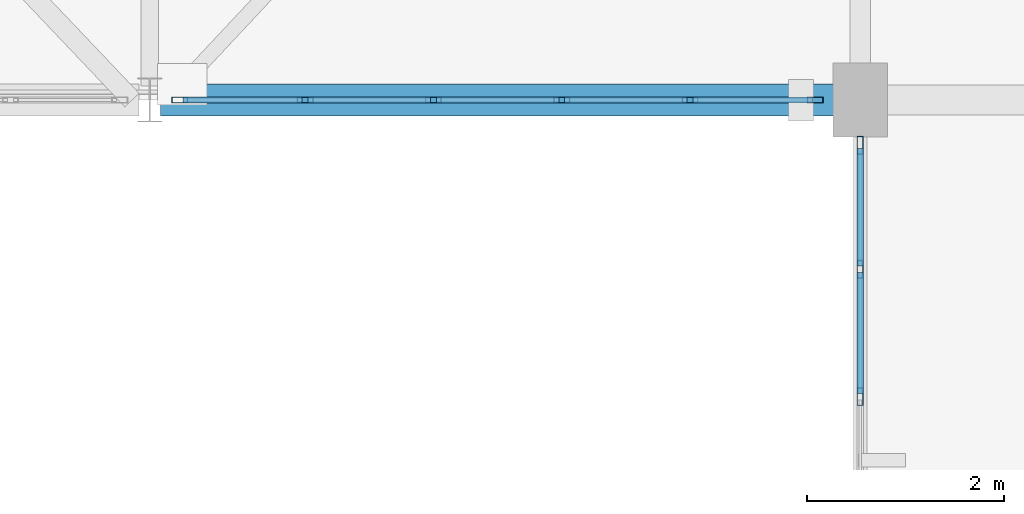
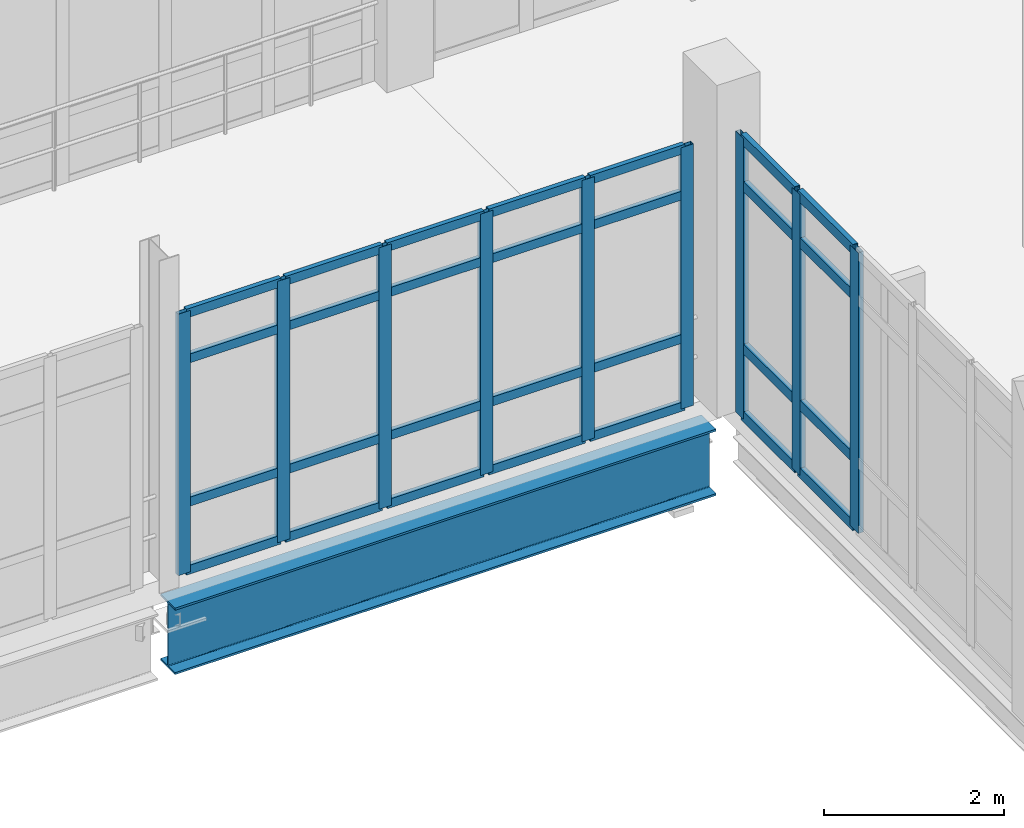
# One storey, part 44 of 124: 37 members, 1 beam, 2 elements without a shape of their own.
"""IFC4 building model written with IfcOpenShell, lengths in metres."""

from ifc_helpers import new_model, si_unit, direction, frame, origin, origin_2d, place, context, subcontext, project, spatial, hollow_rectangle, i_section, extrude, material, material_profile, profile_set, type_object, element, aggregate, save


model = new_model("IFC4")

# Units and contexts
model_context = context("Model", 3, precision=1e-05, world=origin(), true_north=direction((0.0, 1.0)))
body_context = subcontext(model_context, "Body", "Model", "MODEL_VIEW")
ifc_project = project(units=[si_unit("LENGTHUNIT", "METRE"), si_unit("AREAUNIT", "SQUARE_METRE"), si_unit("VOLUMEUNIT", "CUBIC_METRE"), si_unit("PLANEANGLEUNIT", "RADIAN"), si_unit("MASSUNIT", "GRAM", prefix="KILO")], contexts=[model_context])

# Site, building, storey
site_placement = place(None, origin())
site = spatial("IfcSite", under=ifc_project, at=site_placement, CompositionType="ELEMENT")
building_placement = place(site_placement, origin())
building = spatial("IfcBuilding", under=site, at=building_placement, Name="Kalluvel Institute of Natural Sciences", CompositionType="ELEMENT")
storey_placement = place(building_placement, frame((0.0, 0.0, 9.89990234375)))
storey = spatial("IfcBuildingStorey", under=building, at=storey_placement, Name="L02", CompositionType="ELEMENT", Elevation=9.89990234375)

# Beam
ifc_material_1 = material(Name="Steel E350 Grade 350", Category="steel")
ifc_material_profile_1 = material_profile(ifc_material_1, i_section(OverallWidth=0.320068359375, OverallDepth=0.89990234375, WebThickness=0.01611328125, FlangeThickness=0.028076171875, FilletRadius=0.01806640625, at=origin_2d()), Name="WPG 900x320")
ifc_profile_set_1 = profile_set([ifc_material_profile_1], Name="Steel E350 Grade 350")
beam_type = type_object("IfcBeamType", Name="BM-WPG900", PredefinedType="BEAM", material=ifc_profile_set_1)
beam_placement = place(storey_placement, frame((93.31005859375, 28.39990234375, -0.77001953125), z_axis=(1.0, 0.0, 0.0), x_axis=(0.0, 1.0, 0.0)))
element("IfcBeam", 1, at=beam_placement, inside=storey, type_object=beam_type, Name="L02 link bridge main plate-girder chord 5", PredefinedType="BEAM", context=body_context, shape_type="SweptSolid", body=[
    extrude(i_section(OverallWidth=0.320068359375, OverallDepth=0.89990234375, WebThickness=0.01611328125, FlangeThickness=0.028076171875, FilletRadius=0.01806640625, at=origin_2d()), origin(), (0.0, 0.0, 1.0), 6.929931640625),
])

# Curtain wall, members
ifc_material_2 = material(Name="Aluminium AW-6063 T6", Category="aluminium")
curtain_wall_type_1 = type_object("IfcCurtainWallType", Name="CW-BRG-45", PredefinedType="USERDEFINED", material=ifc_material_2)
curtain_wall_1_placement = place(storey_placement, origin())
curtain_wall_1 = element("IfcCurtainWall", 2, at=curtain_wall_1_placement, inside=storey, type_object=curtain_wall_type_1, Name="L02 Gothic lancet curtain wall CWA-L02-X935-Y284", ObjectType="UNITISED LANCET FACADE", PredefinedType="USERDEFINED")
ifc_material_profile_2 = material_profile(ifc_material_2, hollow_rectangle(XDim=0.06005859375, YDim=0.159912109375, WallThickness=0.00390625, at=origin_2d()), Name="CWM 60x160")
ifc_profile_set_2 = profile_set([ifc_material_profile_2], Name="Aluminium AW-6063 T6")
member_type_1 = type_object("IfcMemberType", Name="CWM-60x160", PredefinedType="MULLION", material=ifc_profile_set_2)
member_1_placement = place(storey_placement, frame((93.5048828125, 28.39990234375, 0.0), z_axis=(0.0, 0.0, 1.0), x_axis=(0.0, 1.0, 0.0)))
member_1 = element("IfcMember", 3, at=member_1_placement, type_object=member_type_1, Name="CW-07 mullion 1", PredefinedType="MULLION", context=body_context, shape_type="SweptSolid", body=[
    extrude(hollow_rectangle(XDim=0.06005859375, YDim=0.159912109375, WallThickness=0.00390625, at=origin_2d()), origin(), (0.0, 0.0, 1.0), 3.5400390625),
])
member_2_placement = place(storey_placement, frame((94.77490234375, 28.39990234375, 0.0), z_axis=(0.0, 0.0, 1.0), x_axis=(0.0, 1.0, 0.0)))
member_2 = element("IfcMember", 4, at=member_2_placement, type_object=member_type_1, Name="CW-07 mullion 2", PredefinedType="MULLION", context=body_context, shape_type="SweptSolid", body=[
    extrude(hollow_rectangle(XDim=0.06005859375, YDim=0.159912109375, WallThickness=0.00390625, at=origin_2d()), origin(), (0.0, 0.0, 1.0), 3.5400390625),
])
member_3_placement = place(storey_placement, frame((96.074951171875, 28.39990234375, 0.0), z_axis=(0.0, 0.0, 1.0), x_axis=(0.0, 1.0, 0.0)))
member_3 = element("IfcMember", 5, at=member_3_placement, type_object=member_type_1, Name="CW-07 mullion 3", PredefinedType="MULLION", context=body_context, shape_type="SweptSolid", body=[
    extrude(hollow_rectangle(XDim=0.06005859375, YDim=0.159912109375, WallThickness=0.00390625, at=origin_2d()), origin(), (0.0, 0.0, 1.0), 3.5400390625),
])
member_4_placement = place(storey_placement, frame((97.375, 28.39990234375, 0.0), z_axis=(0.0, 0.0, 1.0), x_axis=(0.0, 1.0, 0.0)))
member_4 = element("IfcMember", 6, at=member_4_placement, type_object=member_type_1, Name="CW-07 mullion 4", PredefinedType="MULLION", context=body_context, shape_type="SweptSolid", body=[
    extrude(hollow_rectangle(XDim=0.06005859375, YDim=0.159912109375, WallThickness=0.00390625, at=origin_2d()), origin(), (0.0, 0.0, 1.0), 3.5400390625),
])
member_5_placement = place(storey_placement, frame((98.675048828125, 28.39990234375, 0.0), z_axis=(0.0, 0.0, 1.0), x_axis=(0.0, 1.0, 0.0)))
member_5 = element("IfcMember", 7, at=member_5_placement, type_object=member_type_1, Name="CW-07 mullion 5", PredefinedType="MULLION", context=body_context, shape_type="SweptSolid", body=[
    extrude(hollow_rectangle(XDim=0.06005859375, YDim=0.159912109375, WallThickness=0.00390625, at=origin_2d()), origin(), (0.0, 0.0, 1.0), 3.5400390625),
])
member_6_placement = place(storey_placement, frame((99.945068359375, 28.39990234375, 0.0), z_axis=(0.0, 0.0, 1.0), x_axis=(0.0, 1.0, 0.0)))
member_6 = element("IfcMember", 8, at=member_6_placement, type_object=member_type_1, Name="CW-07 mullion 6", PredefinedType="MULLION", context=body_context, shape_type="SweptSolid", body=[
    extrude(hollow_rectangle(XDim=0.06005859375, YDim=0.159912109375, WallThickness=0.00390625, at=origin_2d()), origin(), (0.0, 0.0, 1.0), 3.5400390625),
])

curtain_wall_type_2 = type_object("IfcCurtainWallType", Name="CW-SPAV-45", PredefinedType="USERDEFINED", material=ifc_material_2)
curtain_wall_2_placement = place(storey_placement, origin())
curtain_wall_2 = element("IfcCurtainWall", 9, at=curtain_wall_2_placement, inside=storey, type_object=curtain_wall_type_2, Name="L02 Gothic lancet curtain wall CWA-L02-X1004-Y215", ObjectType="UNITISED LANCET FACADE", PredefinedType="USERDEFINED")
ifc_material_profile_3 = material_profile(ifc_material_2, hollow_rectangle(XDim=0.06494140625, YDim=0.179931640625, WallThickness=0.00439453125, at=origin_2d()), Name="CWM 65x180")
ifc_profile_set_3 = profile_set([ifc_material_profile_3], Name="Aluminium AW-6063 T6")
member_type_2 = type_object("IfcMemberType", Name="CWM-65x180", PredefinedType="MULLION", material=ifc_profile_set_3)
member_7_placement = place(storey_placement, frame((100.39990234375, 25.39501953125, 0.0), z_axis=(0.0, 0.0, 1.0), x_axis=(-1.0, 0.0, 0.0)))
member_7 = element("IfcMember", 10, at=member_7_placement, type_object=member_type_2, Name="CW-10 mullion 4", PredefinedType="MULLION", context=body_context, shape_type="SweptSolid", body=[
    extrude(hollow_rectangle(XDim=0.06494140625, YDim=0.179931640625, WallThickness=0.00439453125, at=origin_2d()), origin(), (0.0, 0.0, 1.0), 3.800048828125),
])
member_8_placement = place(storey_placement, frame((100.39990234375, 26.68505859375, 0.0), z_axis=(0.0, 0.0, 1.0), x_axis=(-1.0, 0.0, 0.0)))
member_8 = element("IfcMember", 11, at=member_8_placement, type_object=member_type_2, Name="CW-10 mullion 5", PredefinedType="MULLION", context=body_context, shape_type="SweptSolid", body=[
    extrude(hollow_rectangle(XDim=0.06494140625, YDim=0.179931640625, WallThickness=0.00439453125, at=origin_2d()), origin(), (0.0, 0.0, 1.0), 3.800048828125),
])
member_9_placement = place(storey_placement, frame((100.39990234375, 27.9423828125, 0.0), z_axis=(0.0, 0.0, 1.0), x_axis=(-1.0, 0.0, 0.0)))
member_9 = element("IfcMember", 12, at=member_9_placement, type_object=member_type_2, Name="CW-10 mullion 6", PredefinedType="MULLION", context=body_context, shape_type="SweptSolid", body=[
    extrude(hollow_rectangle(XDim=0.06494140625, YDim=0.179931640625, WallThickness=0.00439453125, at=origin_2d()), origin(), (0.0, 0.0, 1.0), 3.800048828125),
])

# Member
ifc_material_profile_4 = material_profile(ifc_material_2, hollow_rectangle(XDim=0.06005859375, YDim=0.1201171875, WallThickness=0.00390625, at=origin_2d()), Name="CWT 60x120")
ifc_profile_set_4 = profile_set([ifc_material_profile_4], Name="Aluminium AW-6063 T6")
member_type_3 = type_object("IfcMemberType", Name="CWT-60x120", PredefinedType="USERDEFINED", material=ifc_profile_set_4)
member_10_placement = place(storey_placement, frame((93.534912109375, 28.39990234375, 0.030029296875), z_axis=(1.0, 0.0, 0.0), x_axis=(0.0, 1.0, 0.0)))
member_10 = element("IfcMember", 13, at=member_10_placement, type_object=member_type_3, Name="CW-07 transom 1.1", ObjectType="TRANSOM", PredefinedType="USERDEFINED", context=body_context, shape_type="SweptSolid", body=[
    extrude(hollow_rectangle(XDim=0.06005859375, YDim=0.1201171875, WallThickness=0.00390625, at=origin_2d()), origin(), (0.0, 0.0, 1.0), 1.210205078125),
])

member_11_placement = place(storey_placement, frame((93.534912109375, 28.39990234375, 0.9501953125), z_axis=(1.0, 0.0, 0.0), x_axis=(0.0, 1.0, 0.0)))
member_11 = element("IfcMember", 14, at=member_11_placement, type_object=member_type_3, Name="CW-07 transom 1.2", ObjectType="TRANSOM", PredefinedType="USERDEFINED", context=body_context, shape_type="SweptSolid", body=[
    extrude(hollow_rectangle(XDim=0.06005859375, YDim=0.1201171875, WallThickness=0.00390625, at=origin_2d()), origin(), (0.0, 0.0, 1.0), 1.210205078125),
])

member_12_placement = place(storey_placement, frame((93.534912109375, 28.39990234375, 2.89013671875), z_axis=(1.0, 0.0, 0.0), x_axis=(0.0, 1.0, 0.0)))
member_12 = element("IfcMember", 15, at=member_12_placement, type_object=member_type_3, Name="CW-07 transom 1.3", ObjectType="TRANSOM", PredefinedType="USERDEFINED", context=body_context, shape_type="SweptSolid", body=[
    extrude(hollow_rectangle(XDim=0.06005859375, YDim=0.1201171875, WallThickness=0.00390625, at=origin_2d()), origin(), (0.0, 0.0, 1.0), 1.210205078125),
])

member_13_placement = place(storey_placement, frame((93.534912109375, 28.39990234375, 3.510009765625), z_axis=(1.0, 0.0, 0.0), x_axis=(0.0, 1.0, 0.0)))
member_13 = element("IfcMember", 16, at=member_13_placement, type_object=member_type_3, Name="CW-07 transom 1.4", ObjectType="TRANSOM", PredefinedType="USERDEFINED", context=body_context, shape_type="SweptSolid", body=[
    extrude(hollow_rectangle(XDim=0.06005859375, YDim=0.1201171875, WallThickness=0.00390625, at=origin_2d()), origin(), (0.0, 0.0, 1.0), 1.210205078125),
])

member_14_placement = place(storey_placement, frame((94.804931640625, 28.39990234375, 0.030029296875), z_axis=(1.0, 0.0, 0.0), x_axis=(0.0, 1.0, 0.0)))
member_14 = element("IfcMember", 17, at=member_14_placement, type_object=member_type_3, Name="CW-07 transom 2.1", ObjectType="TRANSOM", PredefinedType="USERDEFINED", context=body_context, shape_type="SweptSolid", body=[
    extrude(hollow_rectangle(XDim=0.06005859375, YDim=0.1201171875, WallThickness=0.00390625, at=origin_2d()), origin(), (0.0, 0.0, 1.0), 1.239990234375),
])

member_15_placement = place(storey_placement, frame((94.804931640625, 28.39990234375, 0.9501953125), z_axis=(1.0, 0.0, 0.0), x_axis=(0.0, 1.0, 0.0)))
member_15 = element("IfcMember", 18, at=member_15_placement, type_object=member_type_3, Name="CW-07 transom 2.2", ObjectType="TRANSOM", PredefinedType="USERDEFINED", context=body_context, shape_type="SweptSolid", body=[
    extrude(hollow_rectangle(XDim=0.06005859375, YDim=0.1201171875, WallThickness=0.00390625, at=origin_2d()), origin(), (0.0, 0.0, 1.0), 1.239990234375),
])

member_16_placement = place(storey_placement, frame((94.804931640625, 28.39990234375, 2.89013671875), z_axis=(1.0, 0.0, 0.0), x_axis=(0.0, 1.0, 0.0)))
member_16 = element("IfcMember", 19, at=member_16_placement, type_object=member_type_3, Name="CW-07 transom 2.3", ObjectType="TRANSOM", PredefinedType="USERDEFINED", context=body_context, shape_type="SweptSolid", body=[
    extrude(hollow_rectangle(XDim=0.06005859375, YDim=0.1201171875, WallThickness=0.00390625, at=origin_2d()), origin(), (0.0, 0.0, 1.0), 1.239990234375),
])

member_17_placement = place(storey_placement, frame((94.804931640625, 28.39990234375, 3.510009765625), z_axis=(1.0, 0.0, 0.0), x_axis=(0.0, 1.0, 0.0)))
member_17 = element("IfcMember", 20, at=member_17_placement, type_object=member_type_3, Name="CW-07 transom 2.4", ObjectType="TRANSOM", PredefinedType="USERDEFINED", context=body_context, shape_type="SweptSolid", body=[
    extrude(hollow_rectangle(XDim=0.06005859375, YDim=0.1201171875, WallThickness=0.00390625, at=origin_2d()), origin(), (0.0, 0.0, 1.0), 1.239990234375),
])

member_18_placement = place(storey_placement, frame((96.10498046875, 28.39990234375, 0.030029296875), z_axis=(1.0, 0.0, 0.0), x_axis=(0.0, 1.0, 0.0)))
member_18 = element("IfcMember", 21, at=member_18_placement, type_object=member_type_3, Name="CW-07 transom 3.1", ObjectType="TRANSOM", PredefinedType="USERDEFINED", context=body_context, shape_type="SweptSolid", body=[
    extrude(hollow_rectangle(XDim=0.06005859375, YDim=0.1201171875, WallThickness=0.00390625, at=origin_2d()), origin(), (0.0, 0.0, 1.0), 1.239990234375),
])

member_19_placement = place(storey_placement, frame((96.10498046875, 28.39990234375, 0.9501953125), z_axis=(1.0, 0.0, 0.0), x_axis=(0.0, 1.0, 0.0)))
member_19 = element("IfcMember", 22, at=member_19_placement, type_object=member_type_3, Name="CW-07 transom 3.2", ObjectType="TRANSOM", PredefinedType="USERDEFINED", context=body_context, shape_type="SweptSolid", body=[
    extrude(hollow_rectangle(XDim=0.06005859375, YDim=0.1201171875, WallThickness=0.00390625, at=origin_2d()), origin(), (0.0, 0.0, 1.0), 1.239990234375),
])

member_20_placement = place(storey_placement, frame((96.10498046875, 28.39990234375, 2.89013671875), z_axis=(1.0, 0.0, 0.0), x_axis=(0.0, 1.0, 0.0)))
member_20 = element("IfcMember", 23, at=member_20_placement, type_object=member_type_3, Name="CW-07 transom 3.3", ObjectType="TRANSOM", PredefinedType="USERDEFINED", context=body_context, shape_type="SweptSolid", body=[
    extrude(hollow_rectangle(XDim=0.06005859375, YDim=0.1201171875, WallThickness=0.00390625, at=origin_2d()), origin(), (0.0, 0.0, 1.0), 1.239990234375),
])

member_21_placement = place(storey_placement, frame((96.10498046875, 28.39990234375, 3.510009765625), z_axis=(1.0, 0.0, 0.0), x_axis=(0.0, 1.0, 0.0)))
member_21 = element("IfcMember", 24, at=member_21_placement, type_object=member_type_3, Name="CW-07 transom 3.4", ObjectType="TRANSOM", PredefinedType="USERDEFINED", context=body_context, shape_type="SweptSolid", body=[
    extrude(hollow_rectangle(XDim=0.06005859375, YDim=0.1201171875, WallThickness=0.00390625, at=origin_2d()), origin(), (0.0, 0.0, 1.0), 1.239990234375),
])

member_22_placement = place(storey_placement, frame((97.405029296875, 28.39990234375, 0.030029296875), z_axis=(1.0, 0.0, 0.0), x_axis=(0.0, 1.0, 0.0)))
member_22 = element("IfcMember", 25, at=member_22_placement, type_object=member_type_3, Name="CW-07 transom 4.1", ObjectType="TRANSOM", PredefinedType="USERDEFINED", context=body_context, shape_type="SweptSolid", body=[
    extrude(hollow_rectangle(XDim=0.06005859375, YDim=0.1201171875, WallThickness=0.00390625, at=origin_2d()), origin(), (0.0, 0.0, 1.0), 1.239990234375),
])

member_23_placement = place(storey_placement, frame((97.405029296875, 28.39990234375, 0.9501953125), z_axis=(1.0, 0.0, 0.0), x_axis=(0.0, 1.0, 0.0)))
member_23 = element("IfcMember", 26, at=member_23_placement, type_object=member_type_3, Name="CW-07 transom 4.2", ObjectType="TRANSOM", PredefinedType="USERDEFINED", context=body_context, shape_type="SweptSolid", body=[
    extrude(hollow_rectangle(XDim=0.06005859375, YDim=0.1201171875, WallThickness=0.00390625, at=origin_2d()), origin(), (0.0, 0.0, 1.0), 1.239990234375),
])

member_24_placement = place(storey_placement, frame((97.405029296875, 28.39990234375, 2.89013671875), z_axis=(1.0, 0.0, 0.0), x_axis=(0.0, 1.0, 0.0)))
member_24 = element("IfcMember", 27, at=member_24_placement, type_object=member_type_3, Name="CW-07 transom 4.3", ObjectType="TRANSOM", PredefinedType="USERDEFINED", context=body_context, shape_type="SweptSolid", body=[
    extrude(hollow_rectangle(XDim=0.06005859375, YDim=0.1201171875, WallThickness=0.00390625, at=origin_2d()), origin(), (0.0, 0.0, 1.0), 1.239990234375),
])

member_25_placement = place(storey_placement, frame((97.405029296875, 28.39990234375, 3.510009765625), z_axis=(1.0, 0.0, 0.0), x_axis=(0.0, 1.0, 0.0)))
member_25 = element("IfcMember", 28, at=member_25_placement, type_object=member_type_3, Name="CW-07 transom 4.4", ObjectType="TRANSOM", PredefinedType="USERDEFINED", context=body_context, shape_type="SweptSolid", body=[
    extrude(hollow_rectangle(XDim=0.06005859375, YDim=0.1201171875, WallThickness=0.00390625, at=origin_2d()), origin(), (0.0, 0.0, 1.0), 1.239990234375),
])

member_26_placement = place(storey_placement, frame((98.705078125, 28.39990234375, 0.030029296875), z_axis=(1.0, 0.0, 0.0), x_axis=(0.0, 1.0, 0.0)))
member_26 = element("IfcMember", 29, at=member_26_placement, type_object=member_type_3, Name="CW-07 transom 5.1", ObjectType="TRANSOM", PredefinedType="USERDEFINED", context=body_context, shape_type="SweptSolid", body=[
    extrude(hollow_rectangle(XDim=0.06005859375, YDim=0.1201171875, WallThickness=0.00390625, at=origin_2d()), origin(), (0.0, 0.0, 1.0), 1.2099609375),
])

member_27_placement = place(storey_placement, frame((98.705078125, 28.39990234375, 0.9501953125), z_axis=(1.0, 0.0, 0.0), x_axis=(0.0, 1.0, 0.0)))
member_27 = element("IfcMember", 30, at=member_27_placement, type_object=member_type_3, Name="CW-07 transom 5.2", ObjectType="TRANSOM", PredefinedType="USERDEFINED", context=body_context, shape_type="SweptSolid", body=[
    extrude(hollow_rectangle(XDim=0.06005859375, YDim=0.1201171875, WallThickness=0.00390625, at=origin_2d()), origin(), (0.0, 0.0, 1.0), 1.2099609375),
])

member_28_placement = place(storey_placement, frame((98.705078125, 28.39990234375, 2.89013671875), z_axis=(1.0, 0.0, 0.0), x_axis=(0.0, 1.0, 0.0)))
member_28 = element("IfcMember", 31, at=member_28_placement, type_object=member_type_3, Name="CW-07 transom 5.3", ObjectType="TRANSOM", PredefinedType="USERDEFINED", context=body_context, shape_type="SweptSolid", body=[
    extrude(hollow_rectangle(XDim=0.06005859375, YDim=0.1201171875, WallThickness=0.00390625, at=origin_2d()), origin(), (0.0, 0.0, 1.0), 1.2099609375),
])

member_29_placement = place(storey_placement, frame((98.705078125, 28.39990234375, 3.510009765625), z_axis=(1.0, 0.0, 0.0), x_axis=(0.0, 1.0, 0.0)))
member_29 = element("IfcMember", 32, at=member_29_placement, type_object=member_type_3, Name="CW-07 transom 5.4", ObjectType="TRANSOM", PredefinedType="USERDEFINED", context=body_context, shape_type="SweptSolid", body=[
    extrude(hollow_rectangle(XDim=0.06005859375, YDim=0.1201171875, WallThickness=0.00390625, at=origin_2d()), origin(), (0.0, 0.0, 1.0), 1.2099609375),
])

aggregate(curtain_wall_1, [member_1, member_2, member_3, member_4, member_5, member_6, member_10, member_11, member_12, member_13, member_14, member_15, member_16, member_17, member_18, member_19, member_20, member_21, member_22, member_23, member_24, member_25, member_26, member_27, member_28, member_29])

ifc_material_profile_5 = material_profile(ifc_material_2, hollow_rectangle(XDim=0.06494140625, YDim=0.139892578125, WallThickness=0.00439453125, at=origin_2d()), Name="CWT 65x140")
ifc_profile_set_5 = profile_set([ifc_material_profile_5], Name="Aluminium AW-6063 T6")
member_type_4 = type_object("IfcMemberType", Name="CWT-65x140", PredefinedType="USERDEFINED", material=ifc_profile_set_5)
member_30_placement = place(storey_placement, frame((100.39990234375, 25.427490234375, 0.03271484375), z_axis=(0.0, 1.0, 0.0), x_axis=(-1.0, 0.0, 0.0)))
member_30 = element("IfcMember", 33, at=member_30_placement, type_object=member_type_4, Name="CW-10 transom 4.1", ObjectType="TRANSOM", PredefinedType="USERDEFINED", context=body_context, shape_type="SweptSolid", body=[
    extrude(hollow_rectangle(XDim=0.06494140625, YDim=0.139892578125, WallThickness=0.00439453125, at=origin_2d()), origin(), (0.0, 0.0, 1.0), 1.22509765625),
])

member_31_placement = place(storey_placement, frame((100.39990234375, 25.427490234375, 0.9501953125), z_axis=(0.0, 1.0, 0.0), x_axis=(-1.0, 0.0, 0.0)))
member_31 = element("IfcMember", 34, at=member_31_placement, type_object=member_type_4, Name="CW-10 transom 4.2", ObjectType="TRANSOM", PredefinedType="USERDEFINED", context=body_context, shape_type="SweptSolid", body=[
    extrude(hollow_rectangle(XDim=0.06494140625, YDim=0.139892578125, WallThickness=0.00439453125, at=origin_2d()), origin(), (0.0, 0.0, 1.0), 1.22509765625),
])

member_32_placement = place(storey_placement, frame((100.39990234375, 25.427490234375, 3.150146484375), z_axis=(0.0, 1.0, 0.0), x_axis=(-1.0, 0.0, 0.0)))
member_32 = element("IfcMember", 35, at=member_32_placement, type_object=member_type_4, Name="CW-10 transom 4.3", ObjectType="TRANSOM", PredefinedType="USERDEFINED", context=body_context, shape_type="SweptSolid", body=[
    extrude(hollow_rectangle(XDim=0.06494140625, YDim=0.139892578125, WallThickness=0.00439453125, at=origin_2d()), origin(), (0.0, 0.0, 1.0), 1.22509765625),
])

member_33_placement = place(storey_placement, frame((100.39990234375, 25.427490234375, 3.767578125), z_axis=(0.0, 1.0, 0.0), x_axis=(-1.0, 0.0, 0.0)))
member_33 = element("IfcMember", 36, at=member_33_placement, type_object=member_type_4, Name="CW-10 transom 4.4", ObjectType="TRANSOM", PredefinedType="USERDEFINED", context=body_context, shape_type="SweptSolid", body=[
    extrude(hollow_rectangle(XDim=0.06494140625, YDim=0.139892578125, WallThickness=0.00439453125, at=origin_2d()), origin(), (0.0, 0.0, 1.0), 1.22509765625),
])

member_34_placement = place(storey_placement, frame((100.39990234375, 26.717529296875, 0.03271484375), z_axis=(0.0, 1.0, 0.0), x_axis=(-1.0, 0.0, 0.0)))
member_34 = element("IfcMember", 37, at=member_34_placement, type_object=member_type_4, Name="CW-10 transom 5.1", ObjectType="TRANSOM", PredefinedType="USERDEFINED", context=body_context, shape_type="SweptSolid", body=[
    extrude(hollow_rectangle(XDim=0.06494140625, YDim=0.139892578125, WallThickness=0.00439453125, at=origin_2d()), origin(), (0.0, 0.0, 1.0), 1.1923828125),
])

member_35_placement = place(storey_placement, frame((100.39990234375, 26.717529296875, 0.9501953125), z_axis=(0.0, 1.0, 0.0), x_axis=(-1.0, 0.0, 0.0)))
member_35 = element("IfcMember", 38, at=member_35_placement, type_object=member_type_4, Name="CW-10 transom 5.2", ObjectType="TRANSOM", PredefinedType="USERDEFINED", context=body_context, shape_type="SweptSolid", body=[
    extrude(hollow_rectangle(XDim=0.06494140625, YDim=0.139892578125, WallThickness=0.00439453125, at=origin_2d()), origin(), (0.0, 0.0, 1.0), 1.1923828125),
])

member_36_placement = place(storey_placement, frame((100.39990234375, 26.717529296875, 3.150146484375), z_axis=(0.0, 1.0, 0.0), x_axis=(-1.0, 0.0, 0.0)))
member_36 = element("IfcMember", 39, at=member_36_placement, type_object=member_type_4, Name="CW-10 transom 5.3", ObjectType="TRANSOM", PredefinedType="USERDEFINED", context=body_context, shape_type="SweptSolid", body=[
    extrude(hollow_rectangle(XDim=0.06494140625, YDim=0.139892578125, WallThickness=0.00439453125, at=origin_2d()), origin(), (0.0, 0.0, 1.0), 1.1923828125),
])

member_37_placement = place(storey_placement, frame((100.39990234375, 26.717529296875, 3.767578125), z_axis=(0.0, 1.0, 0.0), x_axis=(-1.0, 0.0, 0.0)))
member_37 = element("IfcMember", 40, at=member_37_placement, type_object=member_type_4, Name="CW-10 transom 5.4", ObjectType="TRANSOM", PredefinedType="USERDEFINED", context=body_context, shape_type="SweptSolid", body=[
    extrude(hollow_rectangle(XDim=0.06494140625, YDim=0.139892578125, WallThickness=0.00439453125, at=origin_2d()), origin(), (0.0, 0.0, 1.0), 1.1923828125),
])

aggregate(curtain_wall_2, [member_7, member_8, member_9, member_30, member_31, member_32, member_33, member_34, member_35, member_36, member_37])

save(model, "model.ifc")
